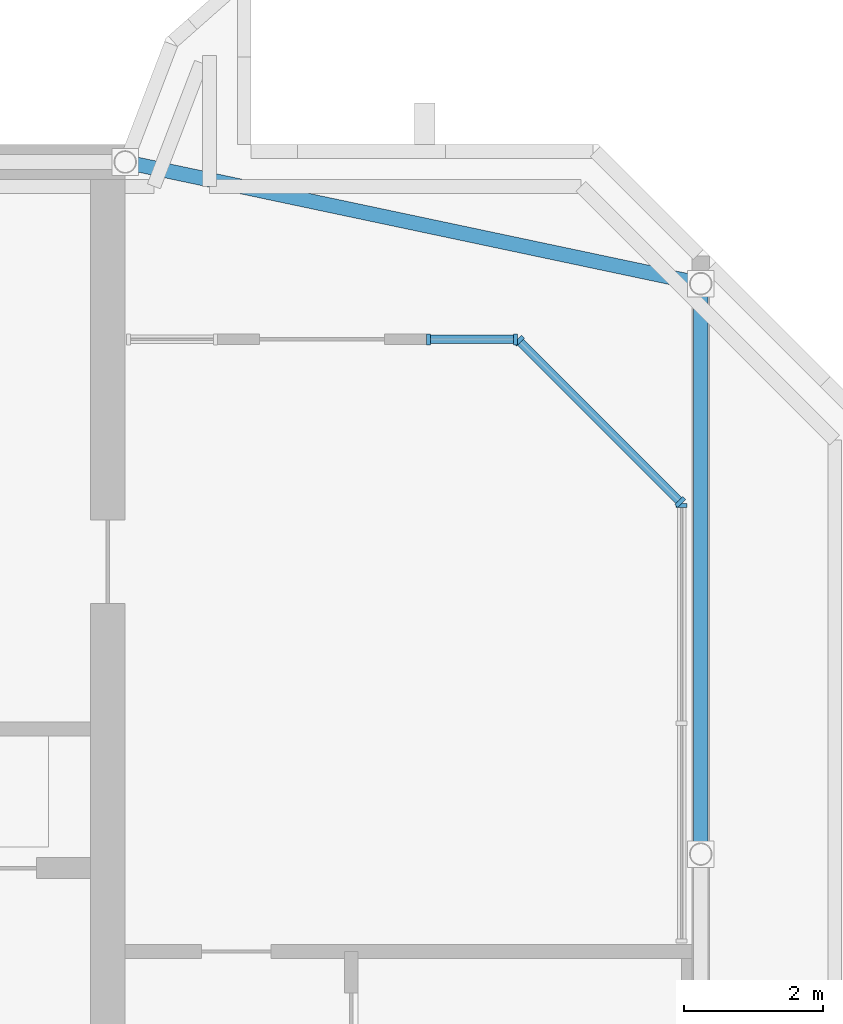
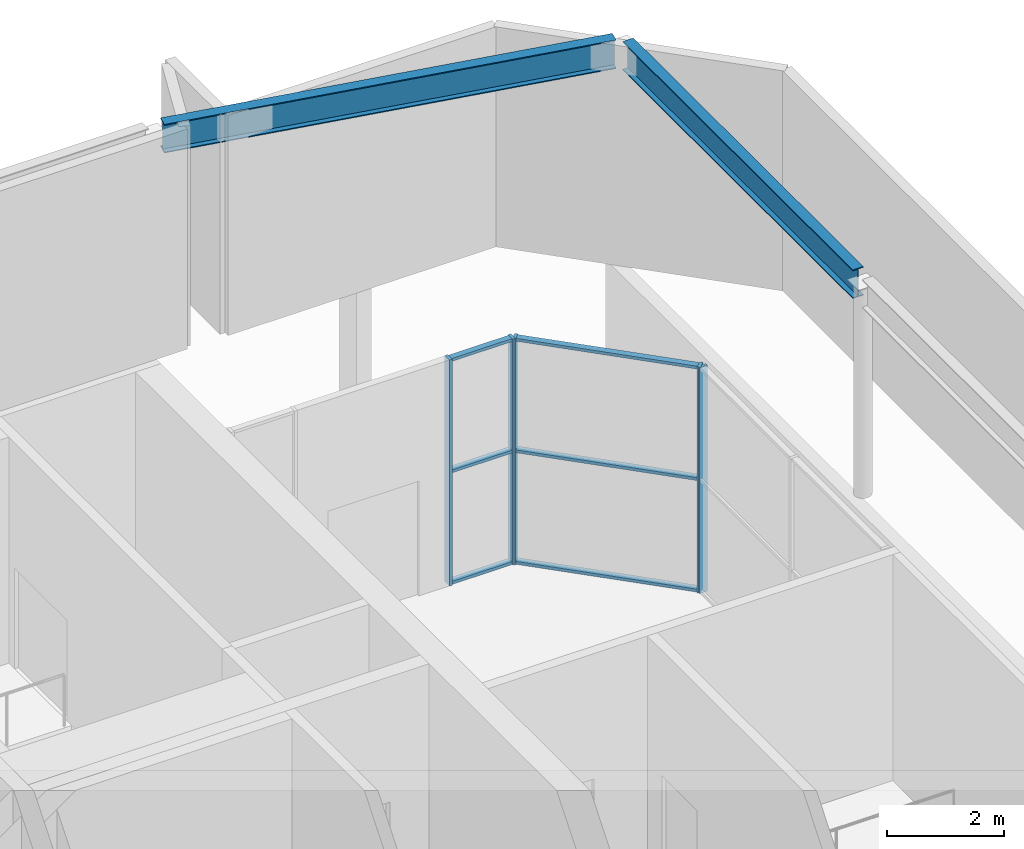
# One storey, part 15 of 25: 11 members, 2 beams, 3 elements without a shape of their own.
"""IFC4 building model written with IfcOpenShell, lengths in metres."""

from ifc_helpers import new_model, si_unit, direction, frame, origin, origin_2d, place, context, subcontext, project, spatial, rectangle, i_section, extrude, source, transform, mapped, material, material_profile, profile_set, type_object, element, aggregate, save


model = new_model("IFC4")

# Units and contexts
model_context = context("Model", 3, precision=1e-05, world=origin(), true_north=direction((0.0, 1.0)))
body_context = subcontext(model_context, "Body", "Model", "MODEL_VIEW")
ifc_project = project(units=[si_unit("LENGTHUNIT", "METRE"), si_unit("AREAUNIT", "SQUARE_METRE"), si_unit("VOLUMEUNIT", "CUBIC_METRE"), si_unit("PLANEANGLEUNIT", "RADIAN"), si_unit("MASSUNIT", "GRAM", prefix="KILO")], contexts=[model_context])

# Site, building, storey
site_placement = place(None, origin())
site = spatial("IfcSite", under=ifc_project, at=site_placement, CompositionType="ELEMENT")
building_placement = place(site_placement, origin())
building = spatial("IfcBuilding", under=site, at=building_placement, Name="Vanashikhar Sky Hotel", CompositionType="ELEMENT")
storey_placement = place(building_placement, frame((0.0, 0.0, 329.699951171875)))
storey = spatial("IfcBuildingStorey", under=building, at=storey_placement, Name="L78", CompositionType="ELEMENT", Elevation=329.699951171875)

# Beams
ifc_material_1 = material(Name="Steel S355", Category="steel")
ifc_material_profile_1 = material_profile(ifc_material_1, i_section(OverallWidth=0.2099609375, OverallDepth=0.60009765625, WebThickness=0.011962890625, FlangeThickness=0.020751953125, at=origin_2d()), Name="ISMB 600")
ifc_profile_set_1 = profile_set([ifc_material_profile_1], Name="Steel S355")
beam_type = type_object("IfcBeamType", Name="ISMB 600 Steel S355", PredefinedType="BEAM", material=ifc_profile_set_1)
shared_shape_1 = source(origin(), body_context, "Body", "SweptSolid", [
    extrude(i_section(OverallWidth=0.2099609375, OverallDepth=0.60009765625, WebThickness=0.011962890625, FlangeThickness=0.020751953125, at=origin_2d()), origin(), (0.0, 0.0, 1.0), 7.8759765625),
])
beam_1_placement = place(storey_placement, frame((83.875, 31.9619140625, 9.300048828125), z_axis=(0.0, 1.0, 0.0), x_axis=(-1.0, 0.0, 0.0)))
element("IfcBeam", 1, at=beam_1_placement, inside=storey, type_object=beam_type, Name="CR-L78-W205", PredefinedType="BEAM", context=body_context, shape_type="MappedRepresentation", body=[
    mapped(shared_shape_1, transform((0.0, 0.0, 0.0), scale=1.0)),
])
shared_shape_2 = source(origin(), body_context, "Body", "SweptSolid", [
    extrude(i_section(OverallWidth=0.2099609375, OverallDepth=0.60009765625, WebThickness=0.011962890625, FlangeThickness=0.020751953125, at=origin_2d()), origin(), (0.0, 0.0, 1.0), 8.134033203125),
])
beam_2_placement = place(storey_placement, frame((83.716552734375, 40.033447265625, 9.300048828125), z_axis=(-0.97835764964, 0.206921022108, 0.0), x_axis=(-0.206921022108, -0.97835764964, 0.0)))
element("IfcBeam", 2, at=beam_2_placement, inside=storey, type_object=beam_type, Name="CR-L78-WR2", PredefinedType="BEAM", context=body_context, shape_type="MappedRepresentation", body=[
    mapped(shared_shape_2, transform((0.0, 0.0, 0.0), scale=1.0)),
])

# Curtain wall, member
ifc_material_2 = material(Name="Glass", Category="glass")
curtain_wall_type = type_object("IfcCurtainWallType", Name="Observation enclosure", PredefinedType="NOTDEFINED", material=ifc_material_2)
curtain_wall_1_placement = place(storey_placement, origin())
curtain_wall_1 = element("IfcCurtainWall", 3, at=curtain_wall_1_placement, inside=storey, type_object=curtain_wall_type, Name="Observation enclosure", PredefinedType="NOTDEFINED")
ifc_material_3 = material(Name="Aluminium 6063-T6", Category="aluminium")
ifc_material_profile_2 = material_profile(ifc_material_3, rectangle(XDim=0.159912109375, YDim=0.06005859375, at=origin_2d()))
ifc_profile_set_2 = profile_set([ifc_material_profile_2], Name="Aluminium 6063-T6")
member_type_1 = type_object("IfcMemberType", Name="Observation mullion 60 x 160", PredefinedType="MULLION", material=ifc_profile_set_2)
shared_shape_3 = source(origin(), body_context, "Body", "SweptSolid", [
    extrude(rectangle(XDim=0.159912109375, YDim=0.06005859375, at=origin_2d()), origin(), (0.0, 0.0, 1.0), 4.719970703125),
])
member_1_placement = place(storey_placement, frame((83.60009765625, 36.810302734375, 0.0), z_axis=(0.0, 0.0, 1.0), x_axis=(-1.0, 0.0, 0.0)))
member_1 = element("IfcMember", 4, at=member_1_placement, type_object=member_type_1, Name="CW-6 mullion 3", PredefinedType="MULLION", context=body_context, shape_type="MappedRepresentation", body=[
    mapped(shared_shape_3, transform((0.0, 0.0, 0.0), scale=1.0)),
])
aggregate(curtain_wall_1, [member_1])

# Curtain wall, members
curtain_wall_2_placement = place(storey_placement, origin())
curtain_wall_2 = element("IfcCurtainWall", 5, at=curtain_wall_2_placement, inside=storey, type_object=curtain_wall_type, Name="Observation enclosure", PredefinedType="NOTDEFINED")
member_2_placement = place(storey_placement, frame((83.578857421875, 36.861328125, 0.0), z_axis=(0.0, 0.0, 1.0), x_axis=(-0.707106781187, -0.707106781187, 0.0)))
member_2 = element("IfcMember", 6, at=member_2_placement, type_object=member_type_1, Name="CW-6 mullion 1", PredefinedType="MULLION", context=body_context, shape_type="MappedRepresentation", body=[
    mapped(shared_shape_3, transform((0.0, 0.0, 0.0), scale=1.0)),
])
member_3_placement = place(storey_placement, frame((81.261474609375, 39.1787109375, 0.0), z_axis=(0.0, 0.0, 1.0), x_axis=(-0.707106781187, -0.707106781187, 0.0)))
member_3 = element("IfcMember", 7, at=member_3_placement, type_object=member_type_1, Name="CW-6 mullion 2", PredefinedType="MULLION", context=body_context, shape_type="MappedRepresentation", body=[
    mapped(shared_shape_3, transform((0.0, 0.0, 0.0), scale=1.0)),
])

curtain_wall_3_placement = place(storey_placement, origin())
curtain_wall_3 = element("IfcCurtainWall", 8, at=curtain_wall_3_placement, inside=storey, type_object=curtain_wall_type, Name="Observation enclosure", PredefinedType="NOTDEFINED")
member_4_placement = place(storey_placement, frame((81.210205078125, 39.199951171875, 0.0), z_axis=(0.0, 0.0, 1.0), x_axis=(0.0, -1.0, 0.0)))
member_4 = element("IfcMember", 9, at=member_4_placement, type_object=member_type_1, Name="CW-6 mullion 1", PredefinedType="MULLION", context=body_context, shape_type="MappedRepresentation", body=[
    mapped(shared_shape_3, transform((0.0, 0.0, 0.0), scale=1.0)),
])
member_5_placement = place(storey_placement, frame((79.960205078125, 39.199951171875, 0.0), z_axis=(0.0, 0.0, 1.0), x_axis=(0.0, -1.0, 0.0)))
member_5 = element("IfcMember", 10, at=member_5_placement, type_object=member_type_1, Name="CW-6 mullion 2", PredefinedType="MULLION", context=body_context, shape_type="MappedRepresentation", body=[
    mapped(shared_shape_3, transform((0.0, 0.0, 0.0), scale=1.0)),
])

# Member
ifc_material_profile_3 = material_profile(ifc_material_3, rectangle(XDim=0.1201171875, YDim=0.06005859375, at=origin_2d()))
ifc_profile_set_3 = profile_set([ifc_material_profile_3], Name="Aluminium 6063-T6")
member_type_2 = type_object("IfcMemberType", Name="Observation transom 60 x 120", PredefinedType="USERDEFINED", material=ifc_profile_set_3)
shared_shape_4 = source(origin(), body_context, "Body", "SweptSolid", [
    extrude(rectangle(XDim=0.1201171875, YDim=0.06005859375, at=origin_2d()), origin(), (0.0, 0.0, 1.0), 3.21728515625),
])
member_6_placement = place(storey_placement, frame((83.5576171875, 36.882568359375, 0.030029296875), z_axis=(-0.707106781187, 0.707106781187, 0.0), x_axis=(-0.707106781187, -0.707106781187, 0.0)))
member_6 = element("IfcMember", 11, at=member_6_placement, type_object=member_type_2, Name="CW-6 transom 1.1", ObjectType="TRANSOM", PredefinedType="USERDEFINED", context=body_context, shape_type="MappedRepresentation", body=[
    mapped(shared_shape_4, transform((0.0, 0.0, 0.0), scale=1.0)),
])

member_7_placement = place(storey_placement, frame((83.5576171875, 36.882568359375, 2.360107421875), z_axis=(-0.707106781187, 0.707106781187, 0.0), x_axis=(-0.707106781187, -0.707106781187, 0.0)))
member_7 = element("IfcMember", 12, at=member_7_placement, type_object=member_type_2, Name="CW-6 transom 1.2", ObjectType="TRANSOM", PredefinedType="USERDEFINED", context=body_context, shape_type="MappedRepresentation", body=[
    mapped(shared_shape_4, transform((0.0, 0.0, 0.0), scale=1.0)),
])

member_8_placement = place(storey_placement, frame((83.5576171875, 36.882568359375, 4.68994140625), z_axis=(-0.707106781187, 0.707106781187, 0.0), x_axis=(-0.707106781187, -0.707106781187, 0.0)))
member_8 = element("IfcMember", 13, at=member_8_placement, type_object=member_type_2, Name="CW-6 transom 1.3", ObjectType="TRANSOM", PredefinedType="USERDEFINED", context=body_context, shape_type="MappedRepresentation", body=[
    mapped(shared_shape_4, transform((0.0, 0.0, 0.0), scale=1.0)),
])

aggregate(curtain_wall_2, [member_2, member_3, member_6, member_7, member_8])

shared_shape_5 = source(origin(), body_context, "Body", "SweptSolid", [
    extrude(rectangle(XDim=0.1201171875, YDim=0.06005859375, at=origin_2d()), origin(), (0.0, 0.0, 1.0), 1.190185546875),
])
member_9_placement = place(storey_placement, frame((81.18017578125, 39.199951171875, 0.030029296875), z_axis=(-1.0, 0.0, 0.0), x_axis=(0.0, -1.0, 0.0)))
member_9 = element("IfcMember", 14, at=member_9_placement, type_object=member_type_2, Name="CW-6 transom 1.1", ObjectType="TRANSOM", PredefinedType="USERDEFINED", context=body_context, shape_type="MappedRepresentation", body=[
    mapped(shared_shape_5, transform((0.0, 0.0, 0.0), scale=1.0)),
])

member_10_placement = place(storey_placement, frame((81.18017578125, 39.199951171875, 2.360107421875), z_axis=(-1.0, 0.0, 0.0), x_axis=(0.0, -1.0, 0.0)))
member_10 = element("IfcMember", 15, at=member_10_placement, type_object=member_type_2, Name="CW-6 transom 1.2", ObjectType="TRANSOM", PredefinedType="USERDEFINED", context=body_context, shape_type="MappedRepresentation", body=[
    mapped(shared_shape_5, transform((0.0, 0.0, 0.0), scale=1.0)),
])

member_11_placement = place(storey_placement, frame((81.18017578125, 39.199951171875, 4.68994140625), z_axis=(-1.0, 0.0, 0.0), x_axis=(0.0, -1.0, 0.0)))
member_11 = element("IfcMember", 16, at=member_11_placement, type_object=member_type_2, Name="CW-6 transom 1.3", ObjectType="TRANSOM", PredefinedType="USERDEFINED", context=body_context, shape_type="MappedRepresentation", body=[
    mapped(shared_shape_5, transform((0.0, 0.0, 0.0), scale=1.0)),
])

aggregate(curtain_wall_3, [member_4, member_5, member_9, member_10, member_11])

save(model, "model.ifc")
